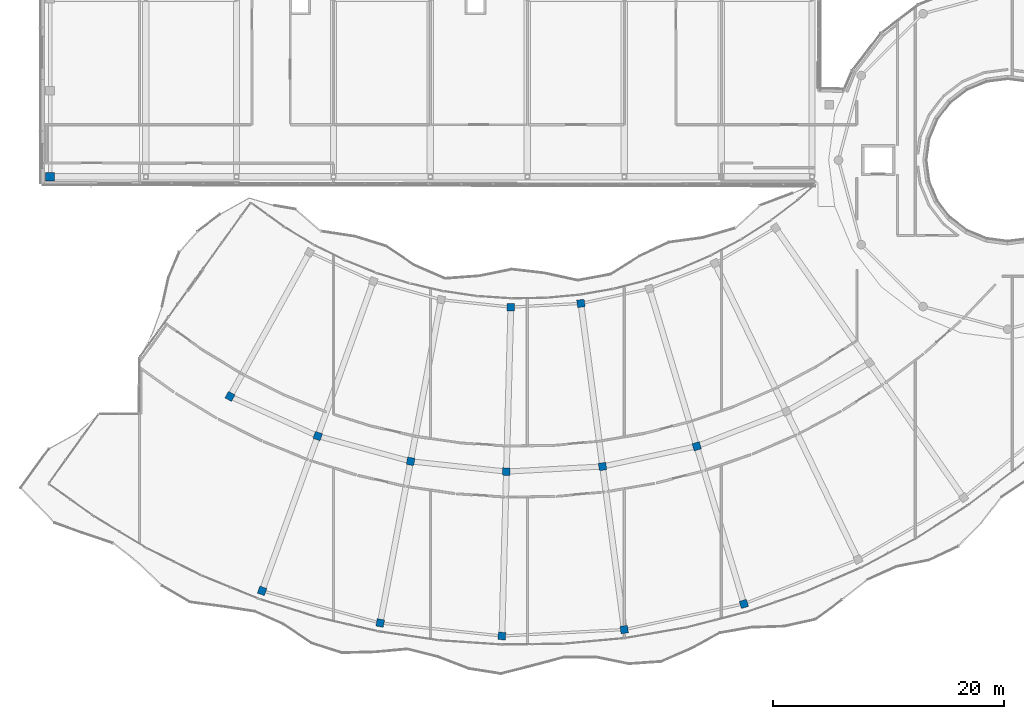
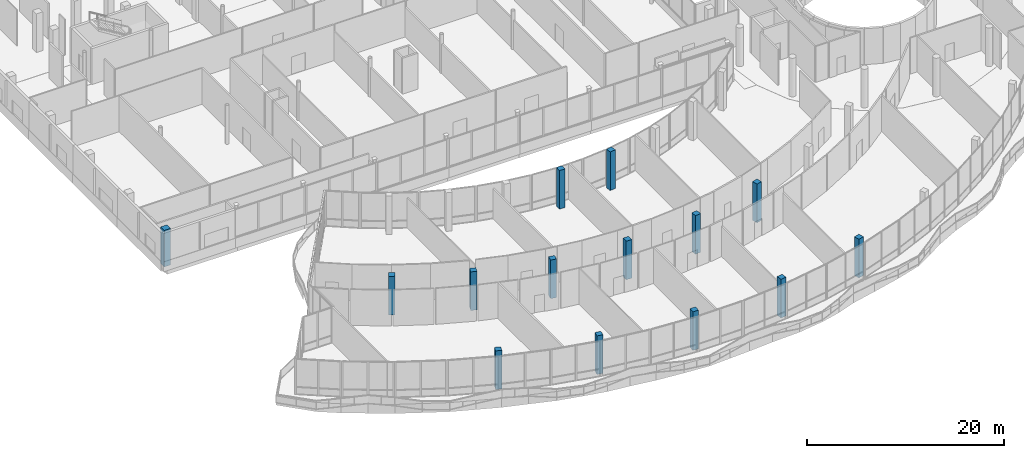
# One storey, part 1 of 155: 14 columns.
"""IFC4 building model written with IfcOpenShell, lengths in metres."""

from ifc_helpers import new_model, si_unit, direction, frame, origin, origin_2d, place, context, subcontext, project, spatial, rectangle, extrude, material, material_profile, profile_set, type_object, element, save


model = new_model("IFC4")

# Units and contexts
model_context = context("Model", 3, precision=1e-05, world=origin(), true_north=direction((0.0, 1.0)))
body_context = subcontext(model_context, "Body", "Model", "MODEL_VIEW")
ifc_project = project(units=[si_unit("LENGTHUNIT", "METRE"), si_unit("AREAUNIT", "SQUARE_METRE"), si_unit("VOLUMEUNIT", "CUBIC_METRE"), si_unit("PLANEANGLEUNIT", "RADIAN"), si_unit("MASSUNIT", "GRAM", prefix="KILO")], contexts=[model_context])

# Site, building, storey
site_placement = place(None, origin())
site = spatial("IfcSite", under=ifc_project, at=site_placement, CompositionType="ELEMENT")
building_placement = place(site_placement, origin())
building = spatial("IfcBuilding", under=site, at=building_placement, Name="Selatvlak General Hospital", CompositionType="ELEMENT")
storey_placement = place(building_placement, frame((0.0, 0.0, 10.199951171875)))
storey = spatial("IfcBuildingStorey", under=building, at=storey_placement, Name="L02", CompositionType="ELEMENT", Elevation=10.199951171875)

# Columns
ifc_material_1 = material(Name="Concrete C40/50", Category="concrete")
ifc_material_profile_1 = material_profile(ifc_material_1, rectangle(XDim=0.64990234375, YDim=0.64990234375, at=origin_2d()), Name="RC-COL 650x650")
ifc_profile_set_1 = profile_set([ifc_material_profile_1], Name="Concrete C40/50")
column_type_1 = type_object("IfcColumnType", Name="COL-RC65", PredefinedType="COLUMN", material=ifc_profile_set_1)
for number, where, z_axis, x_axis, name in (
    (1, (30.637939453125, 33.531982421875, 0.0), (0.0, 0.0, 1.0), (0.483007324118, 0.875616311434, 0.0), "Column 315 on L02"),
    (2, (38.239013671875, 30.095947265625, 0.0), (0.0, 0.0, 1.0), (0.338261654325, 0.941052099096, 0.0), "Column 317 on L02"),
    (3, (33.4189453125, 16.68603515625, 0.0), (0.0, 0.0, 1.0), (0.338261654325, 0.941052099096, 0.0), "Column 318 on L02"),
    (4, (46.2880859375, 27.906005859375, 0.0), (0.0, 0.0, 1.0), (0.184997729111, 0.982738948156, 0.0), "Column 320 on L02"),
    (5, (43.652099609375, 13.902099609375, 0.0), (0.0, 0.0, 1.0), (0.184997729111, 0.982738948156, 0.0), "Column 321 on L02"),
    (6, (54.968017578125, 41.262939453125, 0.0), (0.0, 0.0, 1.0), (0.027066750718, 0.999633628389, 0.0), "Column 322 on L02"),
    (7, (54.58203125, 27.01904296875, 0.0), (0.0, 0.0, 1.0), (0.027066750718, 0.999633628389, 0.0), "Column 323 on L02"),
    (8, (54.196044921875, 12.77490234375, 0.0), (0.0, 0.0, 1.0), (0.027066750718, 0.999633628389, 0.0), "Column 324 on L02"),
    (9, (61.034912109375, 41.5830078125, 0.0), (0.0, 0.0, 1.0), (-0.131737372908, 0.991284653659, 0.0), "Column 325 on L02"),
    (10, (62.912109375, 27.45703125, 0.0), (0.0, 0.0, 1.0), (-0.131737372908, 0.991284653659, 0.0), "Column 326 on L02"),
    (11, (64.7890625, 13.3310546875, 0.0), (0.0, 0.0, 1.0), (-0.131737372908, 0.991284653659, 0.0), "Column 327 on L02"),
    (12, (71.06689453125, 29.208984375, 0.0), (0.0, 0.0, 1.0), (-0.286858965796, 0.957972825159, 0.0), "Column 329 on L02"),
    (13, (75.155029296875, 15.556884765625, 0.0), (0.0, 0.0, 1.0), (-0.286858965796, 0.957972825159, 0.0), "Column 330 on L02"),
):
    element("IfcColumn", number, at=place(storey_placement, frame(where, z_axis=z_axis, x_axis=x_axis)), inside=storey, type_object=column_type_1, Name=name, PredefinedType="COLUMN", context=body_context, shape_type="SweptSolid", body=[
        extrude(rectangle(XDim=0.64990234375, YDim=0.64990234375, at=origin_2d()), origin(), (0.0, 0.0, 1.0), 4.800048828125),
    ])
ifc_material_2 = material(Name="Concrete C50/60", Category="concrete")
ifc_material_profile_2 = material_profile(ifc_material_2, rectangle(XDim=0.75, YDim=0.75, at=origin_2d()), Name="RC-COL 750x750")
ifc_profile_set_2 = profile_set([ifc_material_profile_2], Name="Concrete C50/60")
column_type_2 = type_object("IfcColumnType", Name="COL-RC75", PredefinedType="COLUMN", material=ifc_profile_set_2)
column_placement = place(storey_placement, frame((15.050048828125, 52.550048828125, 0.0), z_axis=(0.0, 0.0, 1.0), x_axis=(1.0, 0.0, 0.0)))
element("IfcColumn", 14, at=column_placement, inside=storey, type_object=column_type_2, Name="Column 060 on L02", PredefinedType="COLUMN", context=body_context, shape_type="SweptSolid", body=[
    extrude(rectangle(XDim=0.75, YDim=0.75, at=origin_2d()), origin(), (0.0, 0.0, 1.0), 4.5400390625),
])

save(model, "model.ifc")
